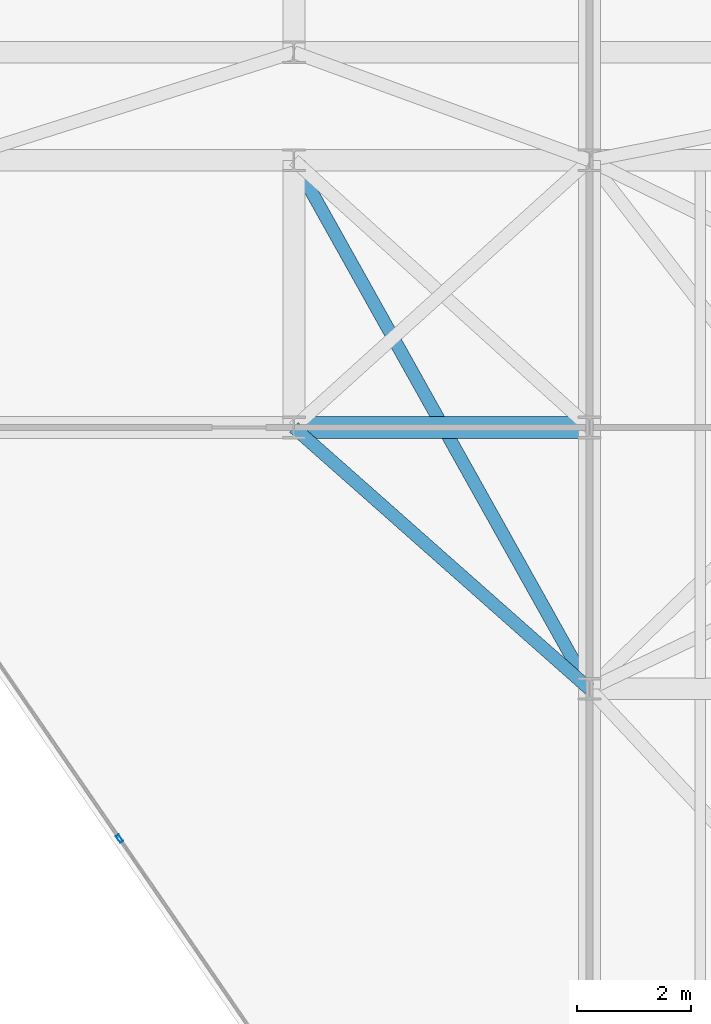
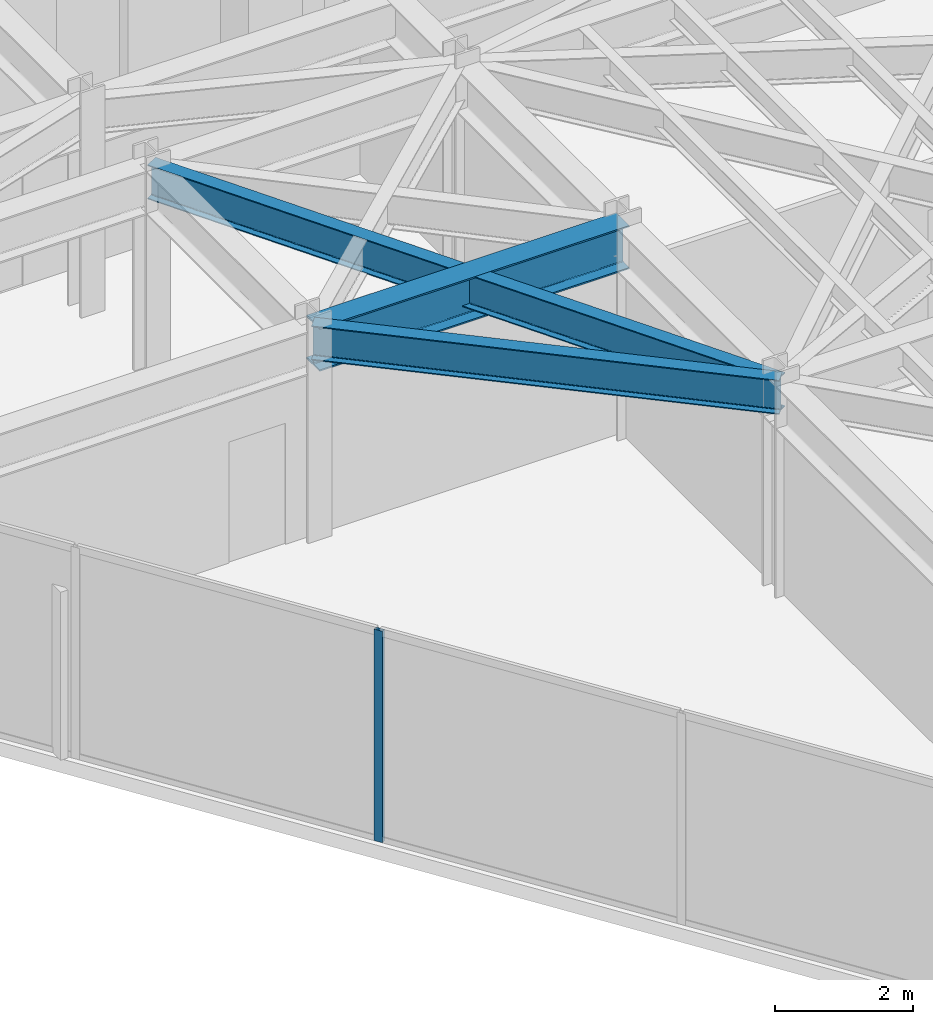
# One storey, part 12 of 21: 3 beams, 1 member, 1 element without a shape of its own.
"""IFC4 building model written with IfcOpenShell, lengths in metres."""

import ifcopenshell
import ifcopenshell.guid

model = None  # the IFC model being written
_history = None  # IfcOwnerHistory: only IFC2X3 demands one
_inside = {}  # id of a spatial element -> (the spatial element, [elements in it])
_under = {}  # id of a project, library or spatial element -> (it, [spatial elements below it])
_declared = {}  # id of a project -> (the project, [libraries it declares])
_typed = {}  # id of a type object -> (the type object, [elements of that type])
_made_of = {}  # id of a material, layer set ... -> (it, [elements and type objects made of it])


def new_model(schema):
    """Start an empty IFC model of exactly this schema.

    Asked for "IFC4X3", IfcOpenShell would pick the latest addendum, in which some entities
    have other attributes; the version numbers below select the first issue.
    IFC2X3 requires an IfcOwnerHistory on every rooted entity: one is made here for all.
    """
    global model, _history
    if schema == "IFC4X3":
        model = ifcopenshell.file(schema_version=(4, 3, 0, 0))
    else:
        model = ifcopenshell.file(schema=schema)
    _inside.clear()
    _under.clear()
    _declared.clear()
    _typed.clear()
    _made_of.clear()
    _history = None
    if model.schema == "IFC2X3":
        org = make("IfcOrganization", Name="unknown")
        user = make(
            "IfcPersonAndOrganization",
            ThePerson=make("IfcPerson", FamilyName="unknown"),
            TheOrganization=org,
        )
        app = make(
            "IfcApplication",
            ApplicationDeveloper=org,
            Version="unknown",
            ApplicationFullName="unknown",
            ApplicationIdentifier="unknown",
        )
        _history = make(
            "IfcOwnerHistory",
            OwningUser=user,
            OwningApplication=app,
            ChangeAction="ADDED",
            CreationDate=0,
        )
    return model


def make(cls, **values):
    """One entity of the class cls with the attributes given. An attribute that is None is left unset."""
    return model.create_entity(
        cls, **{name: value for name, value in values.items() if value is not None}
    )


def rooted(cls, **values):
    """An entity with a GlobalId (a new one), such as an element, a storey or a relation."""
    return make(cls, GlobalId=ifcopenshell.guid.new(), OwnerHistory=_history, **values)


def si_unit(unit_type, name, prefix=None):
    """IfcSIUnit, for example si_unit("LENGTHUNIT", "METRE", prefix="MILLI")."""
    return make("IfcSIUnit", UnitType=unit_type, Prefix=prefix, Name=name)


def assignment(units):
    """IfcUnitAssignment: the units of a project."""
    return None if units is None else make("IfcUnitAssignment", Units=units)


def point(xyz):
    """IfcCartesianPoint."""
    return None if xyz is None else make("IfcCartesianPoint", Coordinates=xyz)


def direction(xyz):
    """IfcDirection."""
    return None if xyz is None else make("IfcDirection", DirectionRatios=xyz)


def frame(location, z_axis=None, x_axis=None):
    """IfcAxis2Placement3D, a coordinate frame: its origin and axes. An axis left out is left unset."""
    return make(
        "IfcAxis2Placement3D",
        Location=point(location),
        Axis=direction(z_axis),
        RefDirection=direction(x_axis),
    )


def frame_2d(location, x_axis=None):
    """IfcAxis2Placement2D, a coordinate frame in the plane: its origin and x axis."""
    return make(
        "IfcAxis2Placement2D", Location=point(location), RefDirection=direction(x_axis)
    )


def origin():
    """The frame at (0, 0, 0) with its axes left unset."""
    return frame((0.0, 0.0, 0.0))


def origin_2d():
    """The frame at (0, 0) in the plane with its x axis left unset."""
    return frame_2d((0.0, 0.0))


def place(relative_to, where):
    """IfcLocalPlacement: puts the frame where relative to a parent placement (None: the world)."""
    return make(
        "IfcLocalPlacement", PlacementRelTo=relative_to, RelativePlacement=where
    )


def context(
    kind, dimensions, precision=None, world=None, true_north=None, identifier=None
):
    """IfcGeometricRepresentationContext, for example the 3D "Model" context."""
    return make(
        "IfcGeometricRepresentationContext",
        ContextIdentifier=identifier,
        ContextType=kind,
        CoordinateSpaceDimension=dimensions,
        Precision=precision,
        WorldCoordinateSystem=world,
        TrueNorth=true_north,
    )


def subcontext(parent, identifier, kind, view, scale=None):
    """IfcGeometricRepresentationSubContext, for example "Body" below "Model"."""
    return make(
        "IfcGeometricRepresentationSubContext",
        ContextIdentifier=identifier,
        ContextType=kind,
        ParentContext=parent,
        TargetScale=scale,
        TargetView=view,
    )


def project(units=None, contexts=None):
    """IfcProject with its units and contexts."""
    return rooted(
        "IfcProject",
        Name="project",
        RepresentationContexts=contexts,
        UnitsInContext=assignment(units),
    )


def spatial(cls, under=None, at=None, **own):
    """A site, building, storey or space (cls), placed at a placement, below another one or the project."""
    s = rooted(cls, ObjectPlacement=at, **own)
    if under is not None:
        _under.setdefault(under.id(), (under, []))[1].append(s)
    return s


def profile(cls, at=None, kind="AREA", **sizes):
    """A parametric profile (cls). Its sizes go by their IFC names, for example OverallWidth=200.0."""
    return make(cls, ProfileType=kind, Position=at, **sizes)


def hollow_rectangle(**sizes):
    """IfcRectangleHollowProfileDef."""
    return profile("IfcRectangleHollowProfileDef", **sizes)


def i_section(**sizes):
    """IfcIShapeProfileDef."""
    return profile("IfcIShapeProfileDef", **sizes)


def extrude(swept, where, along, depth):
    """IfcExtrudedAreaSolid: the profile swept, set in the frame where, extruded along a direction by depth."""
    return make(
        "IfcExtrudedAreaSolid",
        SweptArea=swept,
        Position=where,
        ExtrudedDirection=direction(along),
        Depth=depth,
    )


def shape(context_of_items, identifier, shape_type, items):
    """IfcShapeRepresentation: the items that make up one representation, for example the "Body"."""
    return make(
        "IfcShapeRepresentation",
        ContextOfItems=context_of_items,
        RepresentationIdentifier=identifier,
        RepresentationType=shape_type,
        Items=items,
    )


def material(Name=None, Category=None):
    """IfcMaterial."""
    return make("IfcMaterial", Name=Name, Category=Category)


def layer(
    of_material, thickness, ventilated=None, Name=None, Category=None, Priority=None
):
    """IfcMaterialLayer: one layer of a wall or slab, of a material (None: an air gap)."""
    return make(
        "IfcMaterialLayer",
        Material=of_material,
        LayerThickness=thickness,
        IsVentilated=ventilated,
        Name=Name,
        Category=Category,
        Priority=Priority,
    )


def layer_set(layers, Name=None):
    """IfcMaterialLayerSet."""
    return make("IfcMaterialLayerSet", MaterialLayers=layers, LayerSetName=Name)


def material_profile(
    of_material, cross_section, Name=None, Category=None, Priority=None
):
    """IfcMaterialProfile: a cross section and its material."""
    return make(
        "IfcMaterialProfile",
        Name=Name,
        Material=of_material,
        Profile=cross_section,
        Priority=Priority,
        Category=Category,
    )


def profile_set(profiles, Name=None, composite=None):
    """IfcMaterialProfileSet."""
    return make(
        "IfcMaterialProfileSet",
        Name=Name,
        MaterialProfiles=profiles,
        CompositeProfile=composite,
    )


def made_of(thing, what):
    """Note that an element or type object is made of a material, layer set ...; save() writes the relation."""
    if what is not None:
        _made_of.setdefault(what.id(), (what, []))[1].append(thing)
    return thing


def type_object(cls, material=None, **own):
    """A type object (cls), such as IfcWallType, which elements share."""
    return made_of(rooted(cls, **own), material)


def element(
    cls,
    number,
    at=None,
    inside=None,
    cuts=None,
    type_object=None,
    material=None,
    context=None,
    identifier="Body",
    shape_type=None,
    held_by="IfcProductDefinitionShape",
    body=None,
    shapes=None,
    **own,
):
    """One element of the class cls, such as IfcWall. Its Tag is "e" and its number.

    at: its placement. inside: the storey or other place that contains it. cuts: it is an
    opening in that element (IfcRelVoidsElement). A single representation is given by context,
    identifier, shape_type and body (its items); several are given by shapes. held_by: the class
    of the entity that holds the representations. save() writes the other relations.
    """
    e = rooted(cls, Tag="e%d" % number, ObjectPlacement=at, **own)
    if body is not None:
        shapes = [shape(context, identifier, shape_type, body)]
    if shapes is not None:
        e.Representation = make(held_by, Representations=shapes)
    if inside is not None:
        _inside.setdefault(inside.id(), (inside, []))[1].append(e)
    if cuts is not None:
        rooted(
            "IfcRelVoidsElement", RelatingBuildingElement=cuts, RelatedOpeningElement=e
        )
    if type_object is not None:
        _typed.setdefault(type_object.id(), (type_object, []))[1].append(e)
    return made_of(e, material)


def aggregate(whole, parts):
    """IfcRelAggregates: a whole, such as a stair, and the parts it consists of."""
    return rooted("IfcRelAggregates", RelatingObject=whole, RelatedObjects=parts)


def save(model, path):
    """Write the relations noted so far, then the file.

    IfcRelAggregates (storeys below a building ...), IfcRelContainedInSpatialStructure (elements
    in a storey), IfcRelDefinesByType, IfcRelAssociatesMaterial and IfcRelDeclares: one each for
    every whole, place, type object, material and project.
    """
    for whole, parts in _under.values():
        aggregate(whole, parts)
    for where, things in _inside.values():
        rooted(
            "IfcRelContainedInSpatialStructure",
            RelatedElements=things,
            RelatingStructure=where,
        )
    for kind, things in _typed.values():
        rooted("IfcRelDefinesByType", RelatedObjects=things, RelatingType=kind)
    for what, things in _made_of.values():
        rooted("IfcRelAssociatesMaterial", RelatedObjects=things, RelatingMaterial=what)
    for by, libraries in _declared.values():
        rooted("IfcRelDeclares", RelatingContext=by, RelatedDefinitions=libraries)
    model.write(path)


model = new_model("IFC4")

# Units and contexts
model_context = context("Model", 3, precision=1e-05, world=origin(), true_north=direction((0.0, 1.0)))
body_context = subcontext(model_context, "Body", "Model", "MODEL_VIEW")
ifc_project = project(units=[si_unit("LENGTHUNIT", "METRE"), si_unit("AREAUNIT", "SQUARE_METRE"), si_unit("VOLUMEUNIT", "CUBIC_METRE"), si_unit("PLANEANGLEUNIT", "RADIAN"), si_unit("MASSUNIT", "GRAM", prefix="KILO")], contexts=[model_context])

# Site, building, storey
site_placement = place(None, origin())
site = spatial("IfcSite", under=ifc_project, at=site_placement, CompositionType="ELEMENT")
building_placement = place(site_placement, origin())
building = spatial("IfcBuilding", under=site, at=building_placement, Name="Kravanh Interchange Tower", CompositionType="ELEMENT")
storey_placement = place(building_placement, frame((0.0, 0.0, 208.5)))
storey = spatial("IfcBuildingStorey", under=building, at=storey_placement, Name="L50", CompositionType="ELEMENT", Elevation=208.5)

# Curtain wall, member
ifc_material_1 = material(Name="Anodised Bronze Aluminium", Category="aluminium")
ifc_layer = layer(ifc_material_1, 0.179931640625)
ifc_layer_set = layer_set([ifc_layer], Name="Unitised Curtain Wall System CW-Z3 Upper Office")
curtain_wall_type = type_object("IfcCurtainWallType", Name="Unitised Curtain Wall System CW-Z3 Upper Office", PredefinedType="NOTDEFINED", material=ifc_layer_set)
curtain_wall_placement = place(storey_placement, origin())
curtain_wall = element("IfcCurtainWall", 1, at=curtain_wall_placement, inside=storey, type_object=curtain_wall_type, Name="L50 Unitised Curtain Wall CW-L50-03", PredefinedType="NOTDEFINED")
ifc_material_2 = material(Name="Anodised Bronze Aluminium", Category="aluminium")
ifc_material_profile_1 = material_profile(ifc_material_2, hollow_rectangle(XDim=0.06005859375, YDim=0.139892578125, WallThickness=0.00390625, at=origin_2d()), Name="ALU60X140X4")
ifc_profile_set_1 = profile_set([ifc_material_profile_1], Name="Anodised Bronze Aluminium")
member_type = type_object("IfcMemberType", Name="Curtain Wall Mullion ALU60X140X4 Bronze", PredefinedType="MULLION", material=ifc_profile_set_1)
member_placement = place(storey_placement, frame((47.7314453125, 19.56591796875, 0.0), z_axis=(0.0, 0.0, 1.0), x_axis=(-0.824042223035, -0.566528388217, 0.0)))
member = element("IfcMember", 2, at=member_placement, type_object=member_type, Name="CW-Z3 mullion 3", PredefinedType="MULLION", context=body_context, shape_type="SweptSolid", body=[
    extrude(hollow_rectangle(XDim=0.06005859375, YDim=0.139892578125, WallThickness=0.00390625, at=origin_2d()), origin(), (0.0, 0.0, 1.0), 3.7548828125),
])
aggregate(curtain_wall, [member])

# Beams
ifc_material_3 = material(Name="Structural Steel S355", Category="steel")
ifc_material_profile_2 = material_profile(ifc_material_3, i_section(OverallWidth=0.381103515625, OverallDepth=0.77294921875, WebThickness=0.0166015625, FlangeThickness=0.027099609375, FilletRadius=0.02490234375, at=origin_2d()), Name="W30X173")
ifc_profile_set_2 = profile_set([ifc_material_profile_2], Name="Structural Steel S355")
beam_type_1 = type_object("IfcBeamType", Name="Floor Beam W30X173 Structural Steel S355", PredefinedType="BEAM", material=ifc_profile_set_2)
beam_1_placement = place(storey_placement, frame((50.800048828125, 26.800048828125, 3.368408203125), z_axis=(1.0, 0.0, 0.0), x_axis=(0.0, 1.0, 0.0)))
element("IfcBeam", 3, at=beam_1_placement, inside=storey, type_object=beam_type_1, Name="L50 Primary Floor Girder 50", PredefinedType="BEAM", context=body_context, shape_type="SweptSolid", body=[
    extrude(i_section(OverallWidth=0.381103515625, OverallDepth=0.77294921875, WebThickness=0.0166015625, FlangeThickness=0.027099609375, FilletRadius=0.02490234375, at=origin_2d()), origin(), (0.0, 0.0, 1.0), 5.199951171875),
])
ifc_material_4 = material(Name="Structural Steel S355", Category="steel")
ifc_material_profile_3 = material_profile(ifc_material_4, i_section(OverallWidth=0.22802734375, OverallDepth=0.60791015625, WebThickness=0.01123046875, FlangeThickness=0.017333984375, FilletRadius=0.02197265625, at=origin_2d()), Name="W24X76")
ifc_profile_set_3 = profile_set([ifc_material_profile_3], Name="Structural Steel S355")
beam_type_2 = type_object("IfcBeamType", Name="Floor Spandrel W24X76 Structural Steel S355", PredefinedType="SPANDREL", material=ifc_profile_set_3)
beam_2_placement = place(storey_placement, frame((50.800048828125, 26.800048828125, 3.450927734375), z_axis=(0.74898649432, -0.662585263439, 0.0), x_axis=(0.662585263439, 0.74898649432, 0.0)))
element("IfcBeam", 4, at=beam_2_placement, inside=storey, type_object=beam_type_2, Name="L50 Perimeter Spandrel 51", PredefinedType="SPANDREL", context=body_context, shape_type="SweptSolid", body=[
    extrude(i_section(OverallWidth=0.22802734375, OverallDepth=0.60791015625, WebThickness=0.01123046875, FlangeThickness=0.017333984375, FilletRadius=0.02197265625, at=origin_2d()), origin(), (0.0, 0.0, 1.0), 6.942626953125),
])
beam_3_placement = place(storey_placement, frame((50.800048828125, 31.5, 3.450927734375), z_axis=(0.488026248114, -0.872828952975, 0.0), x_axis=(0.872828952975, 0.488026248114, 0.0)))
element("IfcBeam", 5, at=beam_3_placement, inside=storey, type_object=beam_type_2, Name="L50 Perimeter Spandrel 78", PredefinedType="SPANDREL", context=body_context, shape_type="SweptSolid", body=[
    extrude(i_section(OverallWidth=0.22802734375, OverallDepth=0.60791015625, WebThickness=0.01123046875, FlangeThickness=0.017333984375, FilletRadius=0.02197265625, at=origin_2d()), origin(), (0.0, 0.0, 1.0), 10.655029296875),
])

save(model, "model.ifc")
